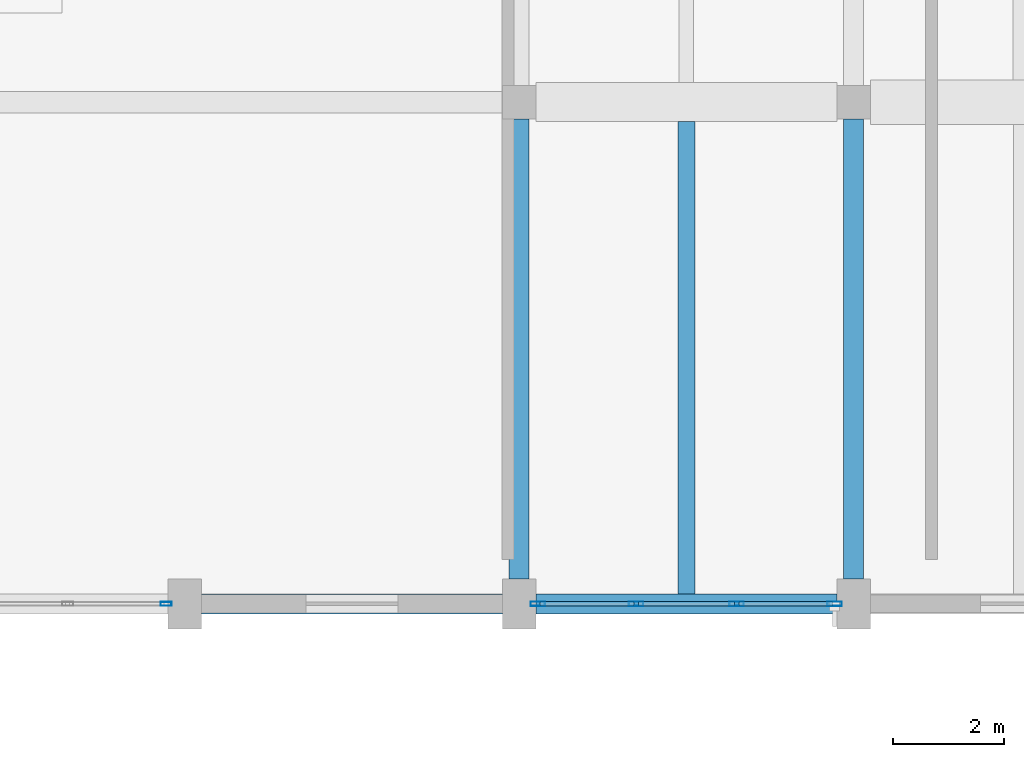
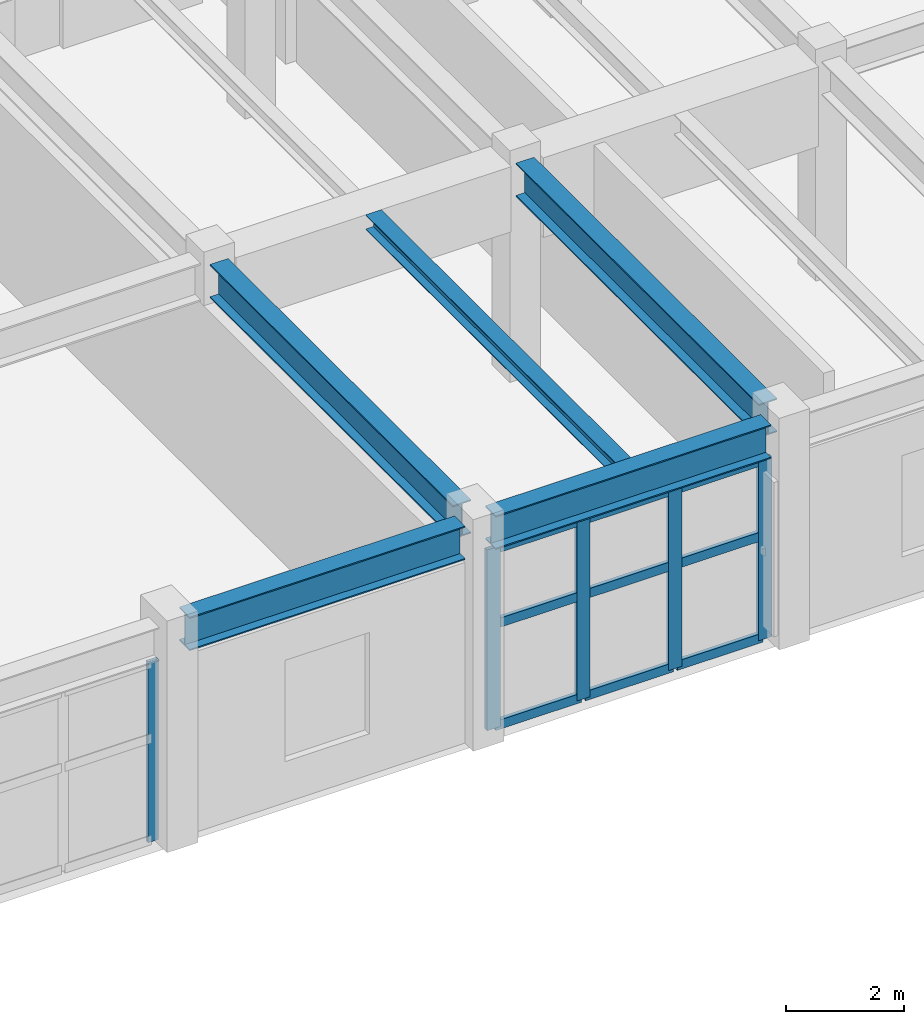
# One storey, part 10 of 80: 14 members, 5 beams, 2 elements without a shape of their own.
"""IFC4 building model written with IfcOpenShell, lengths in metres."""

from ifc_helpers import new_model, si_unit, direction, frame, origin, origin_2d, place, context, subcontext, project, spatial, hollow_rectangle, i_section, extrude, material, layer, layer_set, material_profile, profile_set, type_object, element, aggregate, save


model = new_model("IFC4")

# Units and contexts
model_context = context("Model", 3, precision=1e-05, world=origin(), true_north=direction((0.0, 1.0)))
body_context = subcontext(model_context, "Body", "Model", "MODEL_VIEW")
ifc_project = project(units=[si_unit("LENGTHUNIT", "METRE"), si_unit("AREAUNIT", "SQUARE_METRE"), si_unit("VOLUMEUNIT", "CUBIC_METRE"), si_unit("PLANEANGLEUNIT", "RADIAN"), si_unit("MASSUNIT", "GRAM", prefix="KILO")], contexts=[model_context])

# Site, building, storey
site_placement = place(None, origin())
site = spatial("IfcSite", under=ifc_project, at=site_placement, CompositionType="ELEMENT")
building_placement = place(site_placement, origin())
building = spatial("IfcBuilding", under=site, at=building_placement, Name="Vaelkrest Opera House", CompositionType="ELEMENT")
storey_placement = place(building_placement, frame((0.0, 0.0, 15.0)))
storey = spatial("IfcBuildingStorey", under=building, at=storey_placement, Name="L03", CompositionType="ELEMENT", Elevation=15.0)

# Beams
ifc_material_1 = material(Name="Steel A992 Gr50", Category="steel")
ifc_material_profile_1 = material_profile(ifc_material_1, i_section(OverallWidth=0.35498046875, OverallDepth=0.695068359375, WebThickness=0.015380859375, FlangeThickness=0.02490234375, at=origin_2d()), Name="W27X146")
ifc_profile_set_1 = profile_set([ifc_material_profile_1], Name="Steel A992 Gr50")
beam_type_1 = type_object("IfcBeamType", Name="B10", PredefinedType="BEAM", material=ifc_profile_set_1)
for number, where, z_axis, x_axis, name in (
    (1, (-51.60009765625, -16.35009765625, 4.157470703125), (0.0, 1.0, 0.0), (-1.0, 0.0, 0.0), "Beam BM-V3-L03-1773"),
    (2, (-45.60009765625, -16.35009765625, 4.157470703125), (0.0, 1.0, 0.0), (-1.0, 0.0, 0.0), "Beam BM-V3-L03-1777"),
):
    element("IfcBeam", number, at=place(storey_placement, frame(where, z_axis=z_axis, x_axis=x_axis)), inside=storey, type_object=beam_type_1, Name=name, PredefinedType="BEAM", context=body_context, shape_type="SweptSolid", body=[
        extrude(i_section(OverallWidth=0.35498046875, OverallDepth=0.695068359375, WebThickness=0.015380859375, FlangeThickness=0.02490234375, at=origin_2d()), origin(), (0.0, 0.0, 1.0), 8.25),
    ])

# Curtain wall, member
ifc_material_2 = material(Name="Dark bronze anodized aluminium", Category="aluminium")
ifc_layer_1 = layer(ifc_material_2, 0.22998046875)
ifc_layer_set_1 = layer_set([ifc_layer_1], Name="Dark bronze anodized aluminium")
curtain_wall_type_1 = type_object("IfcCurtainWallType", Name="CW06", PredefinedType="NOTDEFINED", material=ifc_layer_set_1)
curtain_wall_1_placement = place(storey_placement, origin())
curtain_wall_1 = element("IfcCurtainWall", 3, at=curtain_wall_1_placement, inside=storey, type_object=curtain_wall_type_1, Name="Curtain wall CW-L03-127", PredefinedType="NOTDEFINED")
ifc_material_profile_2 = material_profile(ifc_material_2, hollow_rectangle(XDim=0.070068359375, YDim=0.199951171875, WallThickness=0.004150390625, at=origin_2d()), Name="CWM70X200")
ifc_profile_set_2 = profile_set([ifc_material_profile_2], Name="Dark bronze anodized aluminium")
member_type_1 = type_object("IfcMemberType", Name="CWM02", PredefinedType="MULLION", material=ifc_profile_set_2)
member_1_placement = place(storey_placement, frame((-57.93310546875, -16.800048828125, 0.0), z_axis=(0.0, 0.0, 1.0), x_axis=(0.0, -1.0, 0.0)))
member_1 = element("IfcMember", 4, at=member_1_placement, type_object=member_type_1, Name="CW06 mullion 1", PredefinedType="MULLION", context=body_context, shape_type="SweptSolid", body=[
    extrude(hollow_rectangle(XDim=0.070068359375, YDim=0.199951171875, WallThickness=0.004150390625, at=origin_2d()), origin(), (0.0, 0.0, 1.0), 3.7451171875),
])
aggregate(curtain_wall_1, [member_1])

# Curtain wall, members
ifc_layer_2 = layer(ifc_material_2, 0.2099609375)
ifc_layer_set_2 = layer_set([ifc_layer_2], Name="Dark bronze anodized aluminium")
curtain_wall_type_2 = type_object("IfcCurtainWallType", Name="CW04", PredefinedType="NOTDEFINED", material=ifc_layer_set_2)
curtain_wall_2_placement = place(storey_placement, origin())
curtain_wall_2 = element("IfcCurtainWall", 5, at=curtain_wall_2_placement, inside=storey, type_object=curtain_wall_type_2, Name="Curtain wall CW-L03-126", PredefinedType="NOTDEFINED")
ifc_material_profile_3 = material_profile(ifc_material_2, hollow_rectangle(XDim=0.080078125, YDim=0.260009765625, WallThickness=0.0048828125, at=origin_2d()), Name="CWM80X260")
ifc_profile_set_3 = profile_set([ifc_material_profile_3], Name="Dark bronze anodized aluminium")
member_type_2 = type_object("IfcMemberType", Name="CWM04", PredefinedType="MULLION", material=ifc_profile_set_3)
member_2_placement = place(storey_placement, frame((-45.93798828125, -16.800048828125, 0.0), z_axis=(0.0, 0.0, 1.0), x_axis=(0.0, -1.0, 0.0)))
member_2 = element("IfcMember", 6, at=member_2_placement, type_object=member_type_2, Name="CW04 mullion 1", PredefinedType="MULLION", context=body_context, shape_type="SweptSolid", body=[
    extrude(hollow_rectangle(XDim=0.080078125, YDim=0.260009765625, WallThickness=0.0048828125, at=origin_2d()), origin(), (0.0, 0.0, 1.0), 3.7451171875),
])
member_3_placement = place(storey_placement, frame((-47.69921875, -16.800048828125, 0.0), z_axis=(0.0, 0.0, 1.0), x_axis=(0.0, -1.0, 0.0)))
member_3 = element("IfcMember", 7, at=member_3_placement, type_object=member_type_2, Name="CW04 mullion 2", PredefinedType="MULLION", context=body_context, shape_type="SweptSolid", body=[
    extrude(hollow_rectangle(XDim=0.080078125, YDim=0.260009765625, WallThickness=0.0048828125, at=origin_2d()), origin(), (0.0, 0.0, 1.0), 3.7451171875),
])
member_4_placement = place(storey_placement, frame((-49.500732421875, -16.800048828125, 0.0), z_axis=(0.0, 0.0, 1.0), x_axis=(0.0, -1.0, 0.0)))
member_4 = element("IfcMember", 8, at=member_4_placement, type_object=member_type_2, Name="CW04 mullion 3", PredefinedType="MULLION", context=body_context, shape_type="SweptSolid", body=[
    extrude(hollow_rectangle(XDim=0.080078125, YDim=0.260009765625, WallThickness=0.0048828125, at=origin_2d()), origin(), (0.0, 0.0, 1.0), 3.7451171875),
])
member_5_placement = place(storey_placement, frame((-51.261962890625, -16.800048828125, 0.0), z_axis=(0.0, 0.0, 1.0), x_axis=(0.0, -1.0, 0.0)))
member_5 = element("IfcMember", 9, at=member_5_placement, type_object=member_type_2, Name="CW04 mullion 4", PredefinedType="MULLION", context=body_context, shape_type="SweptSolid", body=[
    extrude(hollow_rectangle(XDim=0.080078125, YDim=0.260009765625, WallThickness=0.0048828125, at=origin_2d()), origin(), (0.0, 0.0, 1.0), 3.7451171875),
])
ifc_material_profile_4 = material_profile(ifc_material_2, hollow_rectangle(XDim=0.080078125, YDim=0.18994140625, WallThickness=0.0048828125, at=origin_2d()), Name="CWT80X190")
ifc_profile_set_4 = profile_set([ifc_material_profile_4], Name="Dark bronze anodized aluminium")
member_type_3 = type_object("IfcMemberType", Name="CWT04", PredefinedType="USERDEFINED", material=ifc_profile_set_4)
member_6_placement = place(storey_placement, frame((-45.97802734375, -16.800048828125, 0.0400390625), z_axis=(-1.0, 0.0, 0.0), x_axis=(0.0, -1.0, 0.0)))
member_6 = element("IfcMember", 10, at=member_6_placement, type_object=member_type_3, Name="CW04 transom 1.1", ObjectType="TRANSOM", PredefinedType="USERDEFINED", context=body_context, shape_type="SweptSolid", body=[
    extrude(hollow_rectangle(XDim=0.080078125, YDim=0.18994140625, WallThickness=0.0048828125, at=origin_2d()), origin(), (0.0, 0.0, 1.0), 1.681396484375),
])
member_7_placement = place(storey_placement, frame((-45.97802734375, -16.800048828125, 2.14990234375), z_axis=(-1.0, 0.0, 0.0), x_axis=(0.0, -1.0, 0.0)))
member_7 = element("IfcMember", 11, at=member_7_placement, type_object=member_type_3, Name="CW04 transom 1.2", ObjectType="TRANSOM", PredefinedType="USERDEFINED", context=body_context, shape_type="SweptSolid", body=[
    extrude(hollow_rectangle(XDim=0.080078125, YDim=0.18994140625, WallThickness=0.0048828125, at=origin_2d()), origin(), (0.0, 0.0, 1.0), 1.681396484375),
])
member_8_placement = place(storey_placement, frame((-45.97802734375, -16.800048828125, 3.705078125), z_axis=(-1.0, 0.0, 0.0), x_axis=(0.0, -1.0, 0.0)))
member_8 = element("IfcMember", 12, at=member_8_placement, type_object=member_type_3, Name="CW04 transom 1.3", ObjectType="TRANSOM", PredefinedType="USERDEFINED", context=body_context, shape_type="SweptSolid", body=[
    extrude(hollow_rectangle(XDim=0.080078125, YDim=0.18994140625, WallThickness=0.0048828125, at=origin_2d()), origin(), (0.0, 0.0, 1.0), 1.681396484375),
])
member_9_placement = place(storey_placement, frame((-47.7392578125, -16.800048828125, 0.0400390625), z_axis=(-1.0, 0.0, 0.0), x_axis=(0.0, -1.0, 0.0)))
member_9 = element("IfcMember", 13, at=member_9_placement, type_object=member_type_3, Name="CW04 transom 2.1", ObjectType="TRANSOM", PredefinedType="USERDEFINED", context=body_context, shape_type="SweptSolid", body=[
    extrude(hollow_rectangle(XDim=0.080078125, YDim=0.18994140625, WallThickness=0.0048828125, at=origin_2d()), origin(), (0.0, 0.0, 1.0), 1.721435546875),
])
member_10_placement = place(storey_placement, frame((-47.7392578125, -16.800048828125, 2.14990234375), z_axis=(-1.0, 0.0, 0.0), x_axis=(0.0, -1.0, 0.0)))
member_10 = element("IfcMember", 14, at=member_10_placement, type_object=member_type_3, Name="CW04 transom 2.2", ObjectType="TRANSOM", PredefinedType="USERDEFINED", context=body_context, shape_type="SweptSolid", body=[
    extrude(hollow_rectangle(XDim=0.080078125, YDim=0.18994140625, WallThickness=0.0048828125, at=origin_2d()), origin(), (0.0, 0.0, 1.0), 1.721435546875),
])
member_11_placement = place(storey_placement, frame((-47.7392578125, -16.800048828125, 3.705078125), z_axis=(-1.0, 0.0, 0.0), x_axis=(0.0, -1.0, 0.0)))
member_11 = element("IfcMember", 15, at=member_11_placement, type_object=member_type_3, Name="CW04 transom 2.3", ObjectType="TRANSOM", PredefinedType="USERDEFINED", context=body_context, shape_type="SweptSolid", body=[
    extrude(hollow_rectangle(XDim=0.080078125, YDim=0.18994140625, WallThickness=0.0048828125, at=origin_2d()), origin(), (0.0, 0.0, 1.0), 1.721435546875),
])
member_12_placement = place(storey_placement, frame((-49.540771484375, -16.800048828125, 0.0400390625), z_axis=(-1.0, 0.0, 0.0), x_axis=(0.0, -1.0, 0.0)))
member_12 = element("IfcMember", 16, at=member_12_placement, type_object=member_type_3, Name="CW04 transom 3.1", ObjectType="TRANSOM", PredefinedType="USERDEFINED", context=body_context, shape_type="SweptSolid", body=[
    extrude(hollow_rectangle(XDim=0.080078125, YDim=0.18994140625, WallThickness=0.0048828125, at=origin_2d()), origin(), (0.0, 0.0, 1.0), 1.68115234375),
])
member_13_placement = place(storey_placement, frame((-49.540771484375, -16.800048828125, 2.14990234375), z_axis=(-1.0, 0.0, 0.0), x_axis=(0.0, -1.0, 0.0)))
member_13 = element("IfcMember", 17, at=member_13_placement, type_object=member_type_3, Name="CW04 transom 3.2", ObjectType="TRANSOM", PredefinedType="USERDEFINED", context=body_context, shape_type="SweptSolid", body=[
    extrude(hollow_rectangle(XDim=0.080078125, YDim=0.18994140625, WallThickness=0.0048828125, at=origin_2d()), origin(), (0.0, 0.0, 1.0), 1.68115234375),
])
member_14_placement = place(storey_placement, frame((-49.540771484375, -16.800048828125, 3.705078125), z_axis=(-1.0, 0.0, 0.0), x_axis=(0.0, -1.0, 0.0)))
member_14 = element("IfcMember", 18, at=member_14_placement, type_object=member_type_3, Name="CW04 transom 3.3", ObjectType="TRANSOM", PredefinedType="USERDEFINED", context=body_context, shape_type="SweptSolid", body=[
    extrude(hollow_rectangle(XDim=0.080078125, YDim=0.18994140625, WallThickness=0.0048828125, at=origin_2d()), origin(), (0.0, 0.0, 1.0), 1.68115234375),
])
aggregate(curtain_wall_2, [member_2, member_3, member_4, member_5, member_6, member_7, member_8, member_9, member_10, member_11, member_12, member_13, member_14])

# Beams
ifc_material_profile_5 = material_profile(ifc_material_1, i_section(OverallWidth=0.304931640625, OverallDepth=0.30810546875, WebThickness=0.010009765625, FlangeThickness=0.015380859375, at=origin_2d()), Name="W12X65")
ifc_profile_set_5 = profile_set([ifc_material_profile_5], Name="Steel A992 Gr50")
beam_type_2 = type_object("IfcBeamType", Name="J04", PredefinedType="JOIST", material=ifc_profile_set_5)
beam_placement = place(storey_placement, frame((-48.60009765625, -16.62255859375, 4.35107421875), z_axis=(0.0, 1.0, 0.0), x_axis=(-1.0, 0.0, 0.0)))
element("IfcBeam", 19, at=beam_placement, inside=storey, type_object=beam_type_2, Name="Floor joist JST-V3-L03-1794", PredefinedType="JOIST", context=body_context, shape_type="SweptSolid", body=[
    extrude(i_section(OverallWidth=0.304931640625, OverallDepth=0.30810546875, WebThickness=0.010009765625, FlangeThickness=0.015380859375, at=origin_2d()), origin(), (0.0, 0.0, 1.0), 8.47265625),
])
ifc_material_profile_6 = material_profile(ifc_material_1, i_section(OverallWidth=0.35498046875, OverallDepth=0.695068359375, WebThickness=0.015380859375, FlangeThickness=0.02490234375, at=origin_2d()), Name="W27X146")
ifc_profile_set_6 = profile_set([ifc_material_profile_6], Name="Steel A992 Gr50")
beam_type_3 = type_object("IfcBeamType", Name="SP02", PredefinedType="SPANDREL", material=ifc_profile_set_6)
for number, where, z_axis, x_axis, name in (
    (20, (-57.300048828125, -16.800048828125, 4.157470703125), (1.0, 0.0, 0.0), (0.0, 1.0, 0.0), "Beam BM-V3-L03-1737"),
    (21, (-51.300048828125, -16.800048828125, 4.157470703125), (1.0, 0.0, 0.0), (0.0, 1.0, 0.0), "Beam BM-V3-L03-1738"),
):
    element("IfcBeam", number, at=place(storey_placement, frame(where, z_axis=z_axis, x_axis=x_axis)), inside=storey, type_object=beam_type_3, Name=name, PredefinedType="SPANDREL", context=body_context, shape_type="SweptSolid", body=[
        extrude(i_section(OverallWidth=0.35498046875, OverallDepth=0.695068359375, WebThickness=0.015380859375, FlangeThickness=0.02490234375, at=origin_2d()), origin(), (0.0, 0.0, 1.0), 5.400146484375),
    ])

save(model, "model.ifc")
